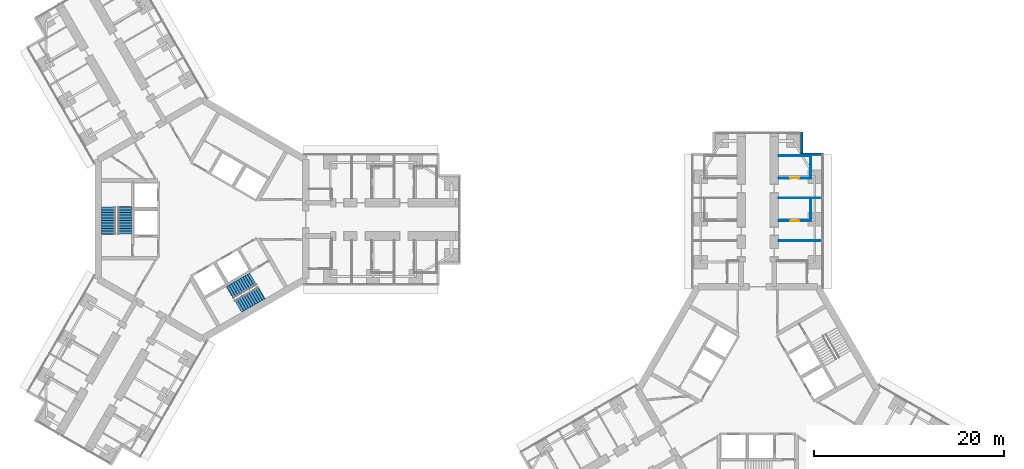
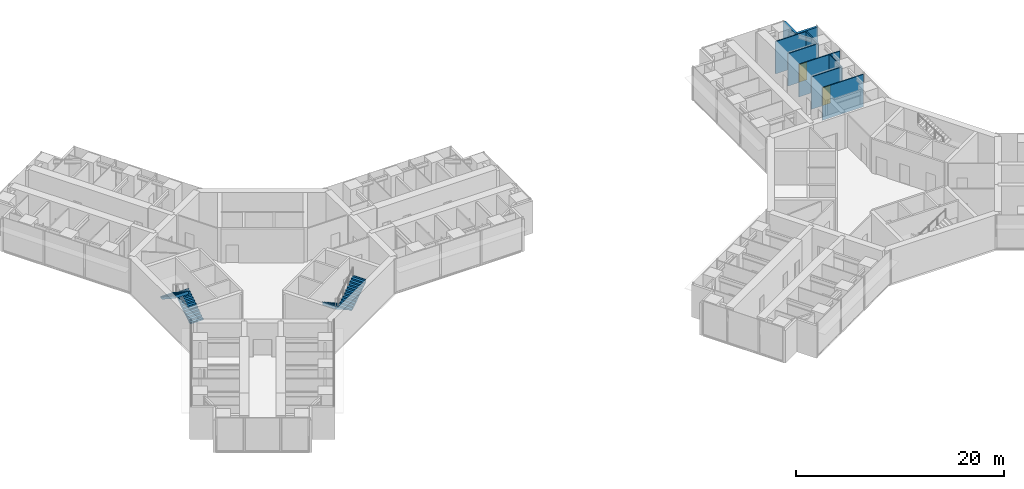
# One storey, part 23 of 25: 9 walls, 4 stair flights, 2 doors, 2 openings, 2 elements without a shape of their own.
"""IFC4 building model written with IfcOpenShell, lengths in metres."""

from ifc_helpers import new_model, si_unit, direction, frame, frame_2d, origin, place, context, subcontext, project, spatial, polyline, rectangle, outline, extrude, material, layer, layer_set, type_object, element, fill, aggregate, save


model = new_model("IFC4")

# Units and contexts
model_context = context("Model", 3, precision=1e-05, world=origin(), true_north=direction((0.0, 1.0)))
body_context = subcontext(model_context, "Body", "Model", "MODEL_VIEW")
ifc_project = project(units=[si_unit("LENGTHUNIT", "METRE"), si_unit("AREAUNIT", "SQUARE_METRE"), si_unit("VOLUMEUNIT", "CUBIC_METRE"), si_unit("PLANEANGLEUNIT", "RADIAN"), si_unit("MASSUNIT", "GRAM", prefix="KILO")], contexts=[model_context])

# Site, building, storey
site_placement = place(None, origin())
site = spatial("IfcSite", under=ifc_project, at=site_placement, CompositionType="ELEMENT")
building_placement = place(site_placement, origin())
building = spatial("IfcBuilding", under=site, at=building_placement, Name="Upepo Twin Towers", CompositionType="ELEMENT")
storey_placement = place(building_placement, frame((0.0, 0.0, 84.5)))
storey = spatial("IfcBuildingStorey", under=building, at=storey_placement, Name="L20", CompositionType="ELEMENT", Elevation=84.5)

# Walls
ifc_material_1 = material(Name="Blockwork with anodised aluminium cladding", Category="masonry")
ifc_layer_1 = layer(ifc_material_1, 0.25)
ifc_layer_set_1 = layer_set([ifc_layer_1], Name="Notch cladding wall 250, pale metal")
wall_type_1 = type_object("IfcWallType", Name="Notch cladding wall 250, pale metal", PredefinedType="STANDARD", material=ifc_layer_set_1)
for number, where, z_axis, x_axis, name in (
    (1, (65.449951171875, 6.875, 0.0), (0.0, 0.0, 1.0), (-1.0, 0.0, 0.0), "T2 L20 wing A notch wall R1"),
    (2, (63.125, 6.875, 0.0), (0.0, 0.0, 1.0), (0.0, 1.0, 0.0), "T2 L20 wing A notch wall R2"),
):
    element("IfcWall", number, at=place(storey_placement, frame(where, z_axis=z_axis, x_axis=x_axis)), inside=storey, type_object=wall_type_1, Name=name, PredefinedType="STANDARD", context=body_context, shape_type="SweptSolid", body=[
        extrude(rectangle(XDim=2.324951171875, YDim=0.25, at=frame_2d((1.16259765625, 0.0))), origin(), (0.0, 0.0, 1.0), 3.800048828125),
    ])
ifc_material_2 = material(Name="Gypsum board on steel studs", Category="steel")
ifc_layer_2 = layer(ifc_material_2, 0.10009765625)
ifc_layer_set_2 = layer_set([ifc_layer_2], Name="Office partition 100 stud")
wall_type_2 = type_object("IfcWallType", Name="Office partition 100 stud", PredefinedType="PARTITIONING", material=ifc_layer_set_2)
for number, where, z_axis, x_axis, name in (
    (3, (60.699951171875, -2.25, 0.0), (0.0, 0.0, 1.0), (1.0, 0.0, 0.0), "T2 partition AR at 15.75"),
    (4, (60.699951171875, 2.25, 0.0), (0.0, 0.0, 1.0), (1.0, 0.0, 0.0), "T2 partition AR at 20.25"),
):
    element("IfcWall", number, at=place(storey_placement, frame(where, z_axis=z_axis, x_axis=x_axis)), inside=storey, type_object=wall_type_2, Name=name, PredefinedType="PARTITIONING", context=body_context, shape_type="SweptSolid", body=[
        extrude(rectangle(XDim=4.550048828125, YDim=0.10009765625, at=frame_2d((2.27490234375, 0.0))), origin(), (0.0, 0.0, 1.0), 3.800048828125),
    ])
wall_1_placement = place(storey_placement, frame((64.10009765625, -0.14990234375, 0.0), z_axis=(0.0, 0.0, 1.0), x_axis=(0.0, 1.0, 0.0)))
element("IfcWall", 5, at=wall_1_placement, inside=storey, type_object=wall_type_2, Name="T2 inner room partition AR at 17.85", PredefinedType="PARTITIONING", context=body_context, shape_type="SweptSolid", body=[
    extrude(rectangle(XDim=2.39990234375, YDim=0.10009765625, at=frame_2d((1.199951171875, 0.0))), origin(), (0.0, 0.0, 1.0), 3.800048828125),
])

# Wall, opening, door
wall_2_placement = place(storey_placement, frame((60.699951171875, -0.14990234375, 0.0), z_axis=(0.0, 0.0, 1.0), x_axis=(1.0, 0.0, 0.0)))
wall_2 = element("IfcWall", 6, at=wall_2_placement, inside=storey, type_object=wall_type_2, Name="T2 inner room partition AR end at 17.85", PredefinedType="PARTITIONING", context=body_context, shape_type="SweptSolid", body=[
    extrude(rectangle(XDim=3.400146484375, YDim=0.10009765625, at=frame_2d((1.7001953125, 0.0))), origin(), (0.0, 0.0, 1.0), 3.800048828125),
])
opening_1_placement = place(wall_2_placement, frame((1.25, 0.0, 0.0)))
opening_1 = element("IfcOpeningElement", 7, at=opening_1_placement, cuts=wall_2, Name="Opening D14", PredefinedType="OPENING", context=body_context, shape_type="SweptSolid", body=[
    extrude(rectangle(XDim=0.89990234375, YDim=2.10009765625, at=frame_2d((0.449951171875, 1.050048828125))), frame((0.0, 0.06005859375, 0.0), z_axis=(0.0, -1.0, 0.0), x_axis=(1.0, 0.0, 0.0)), (0.0, 0.0, 1.0), 0.1201171875),
])
ifc_material_3 = material(Name="Timber doorset", Category="wood")
door_type = type_object("IfcDoorType", Name="Office door 900 FD30", OperationType="SINGLE_SWING_LEFT", PredefinedType="DOOR", material=ifc_material_3)
door_1_placement = place(opening_1_placement, origin())
door_1 = element("IfcDoor", 8, at=door_1_placement, inside=storey, type_object=door_type, Name="T2 L20 inner room door", OperationType="SINGLE_SWING_LEFT", OverallHeight=2.10009765625, OverallWidth=0.89990234375, PredefinedType="DOOR", context=body_context, shape_type="SweptSolid", body=[
    extrude(rectangle(XDim=0.89990234375, YDim=2.10009765625, at=frame_2d((0.449951171875, 1.050048828125))), frame((0.0, 0.02490234375, 0.0), z_axis=(0.0, -1.0, 0.0), x_axis=(1.0, 0.0, 0.0)), (0.0, 0.0, 1.0), 0.050048828125),
])
fill(opening_1, door_1)

# Wall
wall_3_placement = place(storey_placement, frame((64.10009765625, 4.35009765625, 0.0), z_axis=(0.0, 0.0, 1.0), x_axis=(0.0, 1.0, 0.0)))
element("IfcWall", 9, at=wall_3_placement, inside=storey, type_object=wall_type_2, Name="T2 inner room partition AR at 22.35", PredefinedType="PARTITIONING", context=body_context, shape_type="SweptSolid", body=[
    extrude(rectangle(XDim=2.39990234375, YDim=0.10009765625, at=frame_2d((1.199951171875, 0.0))), origin(), (0.0, 0.0, 1.0), 3.800048828125),
])

# Wall, opening, door
wall_4_placement = place(storey_placement, frame((60.699951171875, 4.35009765625, 0.0), z_axis=(0.0, 0.0, 1.0), x_axis=(1.0, 0.0, 0.0)))
wall_4 = element("IfcWall", 10, at=wall_4_placement, inside=storey, type_object=wall_type_2, Name="T2 inner room partition AR end at 22.35", PredefinedType="PARTITIONING", context=body_context, shape_type="SweptSolid", body=[
    extrude(rectangle(XDim=3.400146484375, YDim=0.10009765625, at=frame_2d((1.7001953125, 0.0))), origin(), (0.0, 0.0, 1.0), 3.800048828125),
])
opening_2_placement = place(wall_4_placement, frame((1.25, 0.0, 0.0)))
opening_2 = element("IfcOpeningElement", 11, at=opening_2_placement, cuts=wall_4, Name="Opening D14", PredefinedType="OPENING", context=body_context, shape_type="SweptSolid", body=[
    extrude(rectangle(XDim=0.89990234375, YDim=2.10009765625, at=frame_2d((0.449951171875, 1.050048828125))), frame((0.0, 0.06005859375, 0.0), z_axis=(0.0, -1.0, 0.0), x_axis=(1.0, 0.0, 0.0)), (0.0, 0.0, 1.0), 0.1201171875),
])
door_2_placement = place(opening_2_placement, origin())
door_2 = element("IfcDoor", 12, at=door_2_placement, inside=storey, type_object=door_type, Name="T2 L20 inner room door", OperationType="SINGLE_SWING_LEFT", OverallHeight=2.10009765625, OverallWidth=0.89990234375, PredefinedType="DOOR", context=body_context, shape_type="SweptSolid", body=[
    extrude(rectangle(XDim=0.89990234375, YDim=2.10009765625, at=frame_2d((0.449951171875, 1.050048828125))), frame((0.0, 0.02490234375, 0.0), z_axis=(0.0, -1.0, 0.0), x_axis=(1.0, 0.0, 0.0)), (0.0, 0.0, 1.0), 0.050048828125),
])
fill(opening_2, door_2)

# Wall
wall_5_placement = place(storey_placement, frame((60.699951171875, 6.699951171875, 0.0), z_axis=(0.0, 0.0, 1.0), x_axis=(1.0, 0.0, 0.0)))
element("IfcWall", 13, at=wall_5_placement, inside=storey, type_object=wall_type_2, Name="T2 inner room partition AR end at 24.75", PredefinedType="PARTITIONING", context=body_context, shape_type="SweptSolid", body=[
    extrude(rectangle(XDim=3.400146484375, YDim=0.10009765625, at=frame_2d((1.7001953125, 0.0))), origin(), (0.0, 0.0, 1.0), 3.800048828125),
])

# Stair, stair flights
ifc_material_4 = material(Name="Concrete C40/50", Category="concrete")
stair_type = type_object("IfcStairType", Name="Core stair, two flights", PredefinedType="HALF_TURN_STAIR", material=ifc_material_4)
stair_1_placement = place(storey_placement, origin())
stair_1 = element("IfcStair", 14, at=stair_1_placement, inside=storey, type_object=stair_type, Name="T1 stair S1 L20", PredefinedType="HALF_TURN_STAIR")
ifc_material_5 = material(Name="Concrete C40/50", Category="concrete")
stair_flight_type = type_object("IfcStairFlightType", Name="Stair flight 1450 RC", PredefinedType="STRAIGHT", material=ifc_material_5)
stair_flight_1_placement = place(storey_placement, frame((-8.125, -1.52001953125, 0.0), z_axis=(0.0, 0.0, 1.0), x_axis=(0.0, 1.0, 0.0)))
stair_flight_1 = element("IfcStairFlight", 15, at=stair_flight_1_placement, type_object=stair_flight_type, Name="Stair S1 flight 1", NumberOfRisers=11, NumberOfTreads=10, PredefinedType="STRAIGHT", RiserHeight=0.181818182, TreadLength=0.28, context=body_context, shape_type="SweptSolid", body=[
    extrude(outline(polyline([(0.0, 0.0), (0.0, 0.181884765625), (0.280029296875, 0.181884765625), (0.280029296875, 0.363525390625), (0.56005859375, 0.363525390625), (0.56005859375, 0.54541015625), (0.840087890625, 0.54541015625), (0.840087890625, 0.727294921875), (1.1201171875, 0.727294921875), (1.1201171875, 0.9091796875), (1.39990234375, 0.9091796875), (1.39990234375, 1.0908203125), (1.679931640625, 1.0908203125), (1.679931640625, 1.272705078125), (1.9599609375, 1.272705078125), (1.9599609375, 1.45458984375), (2.239990234375, 1.45458984375), (2.239990234375, 1.636474609375), (2.52001953125, 1.636474609375), (2.52001953125, 1.818115234375), (2.800048828125, 1.818115234375), (2.800048828125, 2.0), (2.85009765625, 2.0), (2.85009765625, 1.639404296875), (0.3251953125, 0.0), (0.0, 0.0)])), frame((0.0, 0.72509765625, 0.0), z_axis=(0.0, -1.0, 0.0), x_axis=(1.0, 0.0, 0.0)), (0.0, 0.0, 1.0), 1.449951171875),
])
stair_flight_2_placement = place(storey_placement, frame((-9.833251953125, 1.280029296875, 2.0), z_axis=(0.0, 0.0, 1.0), x_axis=(0.0, -1.0, 0.0)))
stair_flight_2 = element("IfcStairFlight", 16, at=stair_flight_2_placement, type_object=stair_flight_type, Name="Stair S1 flight 2", NumberOfRisers=11, NumberOfTreads=10, PredefinedType="STRAIGHT", RiserHeight=0.181818182, TreadLength=0.28, context=body_context, shape_type="SweptSolid", body=[
    extrude(outline(polyline([(0.0, 0.0), (0.0, 0.181884765625), (0.280029296875, 0.181884765625), (0.280029296875, 0.363525390625), (0.56005859375, 0.363525390625), (0.56005859375, 0.54541015625), (0.840087890625, 0.54541015625), (0.840087890625, 0.727294921875), (1.1201171875, 0.727294921875), (1.1201171875, 0.9091796875), (1.39990234375, 0.9091796875), (1.39990234375, 1.0908203125), (1.679931640625, 1.0908203125), (1.679931640625, 1.272705078125), (1.9599609375, 1.272705078125), (1.9599609375, 1.45458984375), (2.239990234375, 1.45458984375), (2.239990234375, 1.636474609375), (2.52001953125, 1.636474609375), (2.52001953125, 1.818115234375), (2.800048828125, 1.818115234375), (2.800048828125, 2.0), (2.85009765625, 2.0), (2.85009765625, 1.639404296875), (0.3251953125, 0.0), (0.0, 0.0)])), frame((0.0, 0.72509765625, 0.0), z_axis=(0.0, -1.0, 0.0), x_axis=(1.0, 0.0, 0.0)), (0.0, 0.0, 1.0), 1.449951171875),
])
aggregate(stair_1, [stair_flight_1, stair_flight_2])

stair_2_placement = place(storey_placement, origin())
stair_2 = element("IfcStair", 17, at=stair_2_placement, inside=storey, type_object=stair_type, Name="T1 stair S2 L20", PredefinedType="HALF_TURN_STAIR")
stair_flight_3_placement = place(storey_placement, frame((5.37890625, -6.2763671875, 0.0), z_axis=(0.0, 0.0, 1.0), x_axis=(-0.866025403784, -0.5, 0.0)))
stair_flight_3 = element("IfcStairFlight", 18, at=stair_flight_3_placement, type_object=stair_flight_type, Name="Stair S2 flight 1", NumberOfRisers=11, NumberOfTreads=10, PredefinedType="STRAIGHT", RiserHeight=0.181818182, TreadLength=0.28, context=body_context, shape_type="SweptSolid", body=[
    extrude(outline(polyline([(0.0, 0.0), (0.0, 0.181884765625), (0.280029296875, 0.181884765625), (0.280029296875, 0.363525390625), (0.56005859375, 0.363525390625), (0.56005859375, 0.54541015625), (0.840087890625, 0.54541015625), (0.840087890625, 0.727294921875), (1.1201171875, 0.727294921875), (1.1201171875, 0.9091796875), (1.39990234375, 0.9091796875), (1.39990234375, 1.0908203125), (1.679931640625, 1.0908203125), (1.679931640625, 1.272705078125), (1.9599609375, 1.272705078125), (1.9599609375, 1.45458984375), (2.239990234375, 1.45458984375), (2.239990234375, 1.636474609375), (2.52001953125, 1.636474609375), (2.52001953125, 1.818115234375), (2.800048828125, 1.818115234375), (2.800048828125, 2.0), (2.85009765625, 2.0), (2.85009765625, 1.639404296875), (0.3251953125, 0.0), (0.0, 0.0)])), frame((0.0, 0.72509765625, 0.0), z_axis=(0.0, -1.0, 0.0), x_axis=(1.0, 0.0, 0.0)), (0.0, 0.0, 1.0), 1.449951171875),
])
stair_flight_4_placement = place(storey_placement, frame((3.80810546875, -9.156005859375, 2.0), z_axis=(0.0, 0.0, 1.0), x_axis=(0.866025403784, 0.5, 0.0)))
stair_flight_4 = element("IfcStairFlight", 19, at=stair_flight_4_placement, type_object=stair_flight_type, Name="Stair S2 flight 2", NumberOfRisers=11, NumberOfTreads=10, PredefinedType="STRAIGHT", RiserHeight=0.181818182, TreadLength=0.28, context=body_context, shape_type="SweptSolid", body=[
    extrude(outline(polyline([(0.0, 0.0), (0.0, 0.181884765625), (0.280029296875, 0.181884765625), (0.280029296875, 0.363525390625), (0.56005859375, 0.363525390625), (0.56005859375, 0.54541015625), (0.840087890625, 0.54541015625), (0.840087890625, 0.727294921875), (1.1201171875, 0.727294921875), (1.1201171875, 0.9091796875), (1.39990234375, 0.9091796875), (1.39990234375, 1.0908203125), (1.679931640625, 1.0908203125), (1.679931640625, 1.272705078125), (1.9599609375, 1.272705078125), (1.9599609375, 1.45458984375), (2.239990234375, 1.45458984375), (2.239990234375, 1.636474609375), (2.52001953125, 1.636474609375), (2.52001953125, 1.818115234375), (2.800048828125, 1.818115234375), (2.800048828125, 2.0), (2.85009765625, 2.0), (2.85009765625, 1.639404296875), (0.3251953125, 0.0), (0.0, 0.0)])), frame((0.0, 0.72509765625, 0.0), z_axis=(0.0, -1.0, 0.0), x_axis=(1.0, 0.0, 0.0)), (0.0, 0.0, 1.0), 1.449951171875),
])
aggregate(stair_2, [stair_flight_3, stair_flight_4])

save(model, "model.ifc")
